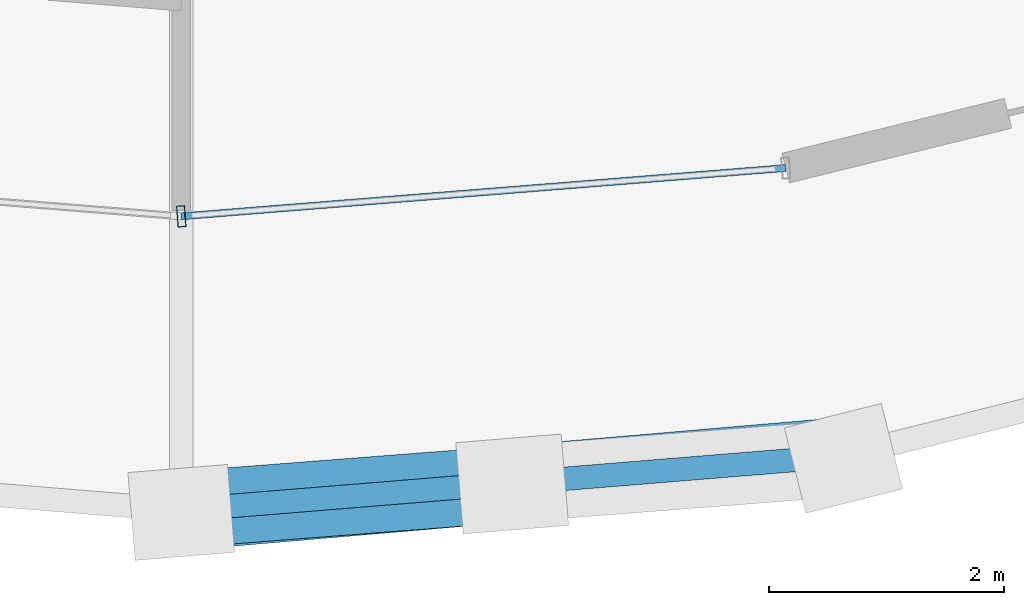
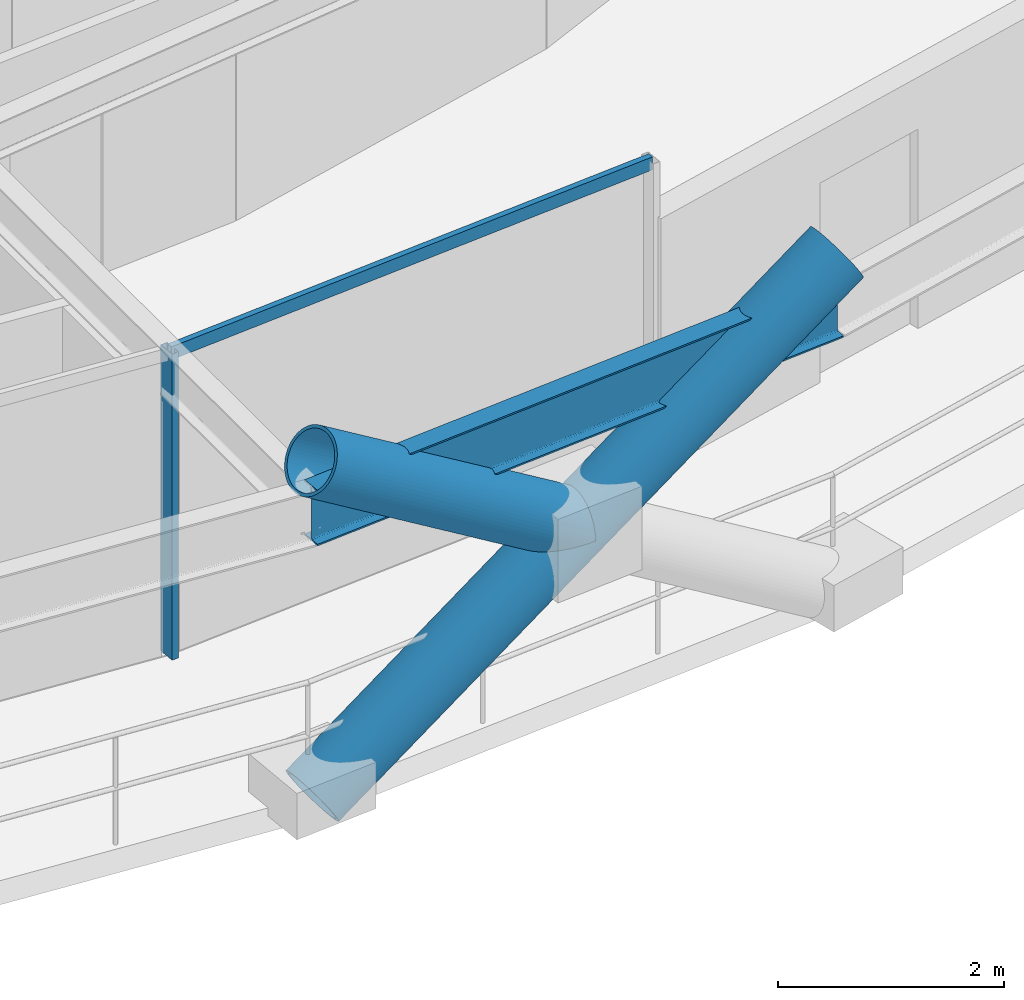
# One storey, part 4 of 23: 4 members, 1 beam, 1 element without a shape of its own.
"""IFC4 building model written with IfcOpenShell, lengths in metres."""

import ifcopenshell
import ifcopenshell.guid

model = None  # the IFC model being written
_history = None  # IfcOwnerHistory: only IFC2X3 demands one
_inside = {}  # id of a spatial element -> (the spatial element, [elements in it])
_under = {}  # id of a project, library or spatial element -> (it, [spatial elements below it])
_declared = {}  # id of a project -> (the project, [libraries it declares])
_typed = {}  # id of a type object -> (the type object, [elements of that type])
_made_of = {}  # id of a material, layer set ... -> (it, [elements and type objects made of it])


def new_model(schema):
    """Start an empty IFC model of exactly this schema.

    Asked for "IFC4X3", IfcOpenShell would pick the latest addendum, in which some entities
    have other attributes; the version numbers below select the first issue.
    IFC2X3 requires an IfcOwnerHistory on every rooted entity: one is made here for all.
    """
    global model, _history
    if schema == "IFC4X3":
        model = ifcopenshell.file(schema_version=(4, 3, 0, 0))
    else:
        model = ifcopenshell.file(schema=schema)
    _inside.clear()
    _under.clear()
    _declared.clear()
    _typed.clear()
    _made_of.clear()
    _history = None
    if model.schema == "IFC2X3":
        org = make("IfcOrganization", Name="unknown")
        user = make(
            "IfcPersonAndOrganization",
            ThePerson=make("IfcPerson", FamilyName="unknown"),
            TheOrganization=org,
        )
        app = make(
            "IfcApplication",
            ApplicationDeveloper=org,
            Version="unknown",
            ApplicationFullName="unknown",
            ApplicationIdentifier="unknown",
        )
        _history = make(
            "IfcOwnerHistory",
            OwningUser=user,
            OwningApplication=app,
            ChangeAction="ADDED",
            CreationDate=0,
        )
    return model


def make(cls, **values):
    """One entity of the class cls with the attributes given. An attribute that is None is left unset."""
    return model.create_entity(
        cls, **{name: value for name, value in values.items() if value is not None}
    )


def rooted(cls, **values):
    """An entity with a GlobalId (a new one), such as an element, a storey or a relation."""
    return make(cls, GlobalId=ifcopenshell.guid.new(), OwnerHistory=_history, **values)


def si_unit(unit_type, name, prefix=None):
    """IfcSIUnit, for example si_unit("LENGTHUNIT", "METRE", prefix="MILLI")."""
    return make("IfcSIUnit", UnitType=unit_type, Prefix=prefix, Name=name)


def assignment(units):
    """IfcUnitAssignment: the units of a project."""
    return None if units is None else make("IfcUnitAssignment", Units=units)


def point(xyz):
    """IfcCartesianPoint."""
    return None if xyz is None else make("IfcCartesianPoint", Coordinates=xyz)


def direction(xyz):
    """IfcDirection."""
    return None if xyz is None else make("IfcDirection", DirectionRatios=xyz)


def frame(location, z_axis=None, x_axis=None):
    """IfcAxis2Placement3D, a coordinate frame: its origin and axes. An axis left out is left unset."""
    return make(
        "IfcAxis2Placement3D",
        Location=point(location),
        Axis=direction(z_axis),
        RefDirection=direction(x_axis),
    )


def frame_2d(location, x_axis=None):
    """IfcAxis2Placement2D, a coordinate frame in the plane: its origin and x axis."""
    return make(
        "IfcAxis2Placement2D", Location=point(location), RefDirection=direction(x_axis)
    )


def origin():
    """The frame at (0, 0, 0) with its axes left unset."""
    return frame((0.0, 0.0, 0.0))


def origin_2d():
    """The frame at (0, 0) in the plane with its x axis left unset."""
    return frame_2d((0.0, 0.0))


def place(relative_to, where):
    """IfcLocalPlacement: puts the frame where relative to a parent placement (None: the world)."""
    return make(
        "IfcLocalPlacement", PlacementRelTo=relative_to, RelativePlacement=where
    )


def context(
    kind, dimensions, precision=None, world=None, true_north=None, identifier=None
):
    """IfcGeometricRepresentationContext, for example the 3D "Model" context."""
    return make(
        "IfcGeometricRepresentationContext",
        ContextIdentifier=identifier,
        ContextType=kind,
        CoordinateSpaceDimension=dimensions,
        Precision=precision,
        WorldCoordinateSystem=world,
        TrueNorth=true_north,
    )


def subcontext(parent, identifier, kind, view, scale=None):
    """IfcGeometricRepresentationSubContext, for example "Body" below "Model"."""
    return make(
        "IfcGeometricRepresentationSubContext",
        ContextIdentifier=identifier,
        ContextType=kind,
        ParentContext=parent,
        TargetScale=scale,
        TargetView=view,
    )


def project(units=None, contexts=None):
    """IfcProject with its units and contexts."""
    return rooted(
        "IfcProject",
        Name="project",
        RepresentationContexts=contexts,
        UnitsInContext=assignment(units),
    )


def spatial(cls, under=None, at=None, **own):
    """A site, building, storey or space (cls), placed at a placement, below another one or the project."""
    s = rooted(cls, ObjectPlacement=at, **own)
    if under is not None:
        _under.setdefault(under.id(), (under, []))[1].append(s)
    return s


def profile(cls, at=None, kind="AREA", **sizes):
    """A parametric profile (cls). Its sizes go by their IFC names, for example OverallWidth=200.0."""
    return make(cls, ProfileType=kind, Position=at, **sizes)


def hollow_rectangle(**sizes):
    """IfcRectangleHollowProfileDef."""
    return profile("IfcRectangleHollowProfileDef", **sizes)


def hollow_circle(**sizes):
    """IfcCircleHollowProfileDef."""
    return profile("IfcCircleHollowProfileDef", **sizes)


def i_section(**sizes):
    """IfcIShapeProfileDef."""
    return profile("IfcIShapeProfileDef", **sizes)


def extrude(swept, where, along, depth):
    """IfcExtrudedAreaSolid: the profile swept, set in the frame where, extruded along a direction by depth."""
    return make(
        "IfcExtrudedAreaSolid",
        SweptArea=swept,
        Position=where,
        ExtrudedDirection=direction(along),
        Depth=depth,
    )


def shape(context_of_items, identifier, shape_type, items):
    """IfcShapeRepresentation: the items that make up one representation, for example the "Body"."""
    return make(
        "IfcShapeRepresentation",
        ContextOfItems=context_of_items,
        RepresentationIdentifier=identifier,
        RepresentationType=shape_type,
        Items=items,
    )


def material(Name=None, Category=None):
    """IfcMaterial."""
    return make("IfcMaterial", Name=Name, Category=Category)


def layer(
    of_material, thickness, ventilated=None, Name=None, Category=None, Priority=None
):
    """IfcMaterialLayer: one layer of a wall or slab, of a material (None: an air gap)."""
    return make(
        "IfcMaterialLayer",
        Material=of_material,
        LayerThickness=thickness,
        IsVentilated=ventilated,
        Name=Name,
        Category=Category,
        Priority=Priority,
    )


def layer_set(layers, Name=None):
    """IfcMaterialLayerSet."""
    return make("IfcMaterialLayerSet", MaterialLayers=layers, LayerSetName=Name)


def material_profile(
    of_material, cross_section, Name=None, Category=None, Priority=None
):
    """IfcMaterialProfile: a cross section and its material."""
    return make(
        "IfcMaterialProfile",
        Name=Name,
        Material=of_material,
        Profile=cross_section,
        Priority=Priority,
        Category=Category,
    )


def profile_set(profiles, Name=None, composite=None):
    """IfcMaterialProfileSet."""
    return make(
        "IfcMaterialProfileSet",
        Name=Name,
        MaterialProfiles=profiles,
        CompositeProfile=composite,
    )


def made_of(thing, what):
    """Note that an element or type object is made of a material, layer set ...; save() writes the relation."""
    if what is not None:
        _made_of.setdefault(what.id(), (what, []))[1].append(thing)
    return thing


def type_object(cls, material=None, **own):
    """A type object (cls), such as IfcWallType, which elements share."""
    return made_of(rooted(cls, **own), material)


def element(
    cls,
    number,
    at=None,
    inside=None,
    cuts=None,
    type_object=None,
    material=None,
    context=None,
    identifier="Body",
    shape_type=None,
    held_by="IfcProductDefinitionShape",
    body=None,
    shapes=None,
    **own,
):
    """One element of the class cls, such as IfcWall. Its Tag is "e" and its number.

    at: its placement. inside: the storey or other place that contains it. cuts: it is an
    opening in that element (IfcRelVoidsElement). A single representation is given by context,
    identifier, shape_type and body (its items); several are given by shapes. held_by: the class
    of the entity that holds the representations. save() writes the other relations.
    """
    e = rooted(cls, Tag="e%d" % number, ObjectPlacement=at, **own)
    if body is not None:
        shapes = [shape(context, identifier, shape_type, body)]
    if shapes is not None:
        e.Representation = make(held_by, Representations=shapes)
    if inside is not None:
        _inside.setdefault(inside.id(), (inside, []))[1].append(e)
    if cuts is not None:
        rooted(
            "IfcRelVoidsElement", RelatingBuildingElement=cuts, RelatedOpeningElement=e
        )
    if type_object is not None:
        _typed.setdefault(type_object.id(), (type_object, []))[1].append(e)
    return made_of(e, material)


def aggregate(whole, parts):
    """IfcRelAggregates: a whole, such as a stair, and the parts it consists of."""
    return rooted("IfcRelAggregates", RelatingObject=whole, RelatedObjects=parts)


def save(model, path):
    """Write the relations noted so far, then the file.

    IfcRelAggregates (storeys below a building ...), IfcRelContainedInSpatialStructure (elements
    in a storey), IfcRelDefinesByType, IfcRelAssociatesMaterial and IfcRelDeclares: one each for
    every whole, place, type object, material and project.
    """
    for whole, parts in _under.values():
        aggregate(whole, parts)
    for where, things in _inside.values():
        rooted(
            "IfcRelContainedInSpatialStructure",
            RelatedElements=things,
            RelatingStructure=where,
        )
    for kind, things in _typed.values():
        rooted("IfcRelDefinesByType", RelatedObjects=things, RelatingType=kind)
    for what, things in _made_of.values():
        rooted("IfcRelAssociatesMaterial", RelatedObjects=things, RelatingMaterial=what)
    for by, libraries in _declared.values():
        rooted("IfcRelDeclares", RelatingContext=by, RelatedDefinitions=libraries)
    model.write(path)


model = new_model("IFC4")

# Units and contexts
model_context = context("Model", 3, precision=1e-05, world=origin(), true_north=direction((0.0, 1.0)))
body_context = subcontext(model_context, "Body", "Model", "MODEL_VIEW")
ifc_project = project(units=[si_unit("LENGTHUNIT", "METRE"), si_unit("AREAUNIT", "SQUARE_METRE"), si_unit("VOLUMEUNIT", "CUBIC_METRE"), si_unit("PLANEANGLEUNIT", "RADIAN"), si_unit("MASSUNIT", "GRAM", prefix="KILO")], contexts=[model_context])

# Site, building, storey
site_placement = place(None, origin())
site = spatial("IfcSite", under=ifc_project, at=site_placement, CompositionType="ELEMENT")
building_placement = place(site_placement, origin())
building = spatial("IfcBuilding", under=site, at=building_placement, Name="Veldorina Hangang Commons", CompositionType="ELEMENT")
storey_placement = place(building_placement, frame((0.0, 0.0, 95.199951171875)))
storey = spatial("IfcBuildingStorey", under=building, at=storey_placement, Name="L24", CompositionType="ELEMENT", Elevation=95.199951171875)

# Beam
ifc_material_1 = material(Name="Steel SM420-TMC", Category="steel")
ifc_material_profile_1 = material_profile(ifc_material_1, i_section(OverallWidth=0.199951171875, OverallDepth=0.60009765625, WebThickness=0.010986328125, FlangeThickness=0.01708984375, FilletRadius=0.01806640625, at=origin_2d()), Name="H-600x200x11x17")
ifc_profile_set_1 = profile_set([ifc_material_profile_1], Name="Steel SM420-TMC")
beam_type = type_object("IfcBeamType", Name="BM-RB600", PredefinedType="BEAM", material=ifc_profile_set_1)
beam_placement = place(storey_placement, frame((32.0, 0.097900390625, 3.0400390625), z_axis=(0.996690263747, 0.081292792737, 0.0), x_axis=(-0.081292792737, 0.996690263747, 0.0)))
element("IfcBeam", 1, at=beam_placement, inside=storey, type_object=beam_type, Name="L24 perimeter hoop ring beam 24", PredefinedType="BEAM", context=body_context, shape_type="SweptSolid", body=[
    extrude(i_section(OverallWidth=0.199951171875, OverallDepth=0.60009765625, WebThickness=0.010986328125, FlangeThickness=0.01708984375, FilletRadius=0.01806640625, at=origin_2d()), origin(), (0.0, 0.0, 1.0), 5.649169921875),
])

# Curtain wall, members
ifc_material_2 = material(Name="Glass Low-E Triple IGU", Category="glass")
ifc_layer = layer(ifc_material_2, 0.179931640625)
ifc_layer_set = layer_set([ifc_layer], Name="Glass Low-E Triple IGU")
curtain_wall_type = type_object("IfcCurtainWallType", Name="CW-SYS-Z1", PredefinedType="NOTDEFINED", material=ifc_layer_set)
curtain_wall_placement = place(storey_placement, origin())
curtain_wall = element("IfcCurtainWall", 2, at=curtain_wall_placement, inside=storey, type_object=curtain_wall_type, Name="L24 unitised curtain wall CW-L24-R1", PredefinedType="NOTDEFINED")
ifc_material_3 = material(Name="Aluminium Anodized AA6063-T6", Category="aluminium")
ifc_material_profile_2 = material_profile(ifc_material_3, hollow_rectangle(XDim=0.070068359375, YDim=0.179931640625, WallThickness=0.00390625, at=origin_2d()), Name="ALU-RHS-180x70x4")
ifc_profile_set_2 = profile_set([ifc_material_profile_2], Name="Aluminium Anodized AA6063-T6")
member_type_1 = type_object("IfcMemberType", Name="CW-MUL-180", PredefinedType="MULLION", material=ifc_profile_set_2)
member_1_placement = place(storey_placement, frame((32.0, 2.59765625, 0.0), z_axis=(0.0, 0.0, 1.0), x_axis=(0.996820733877, 0.079677001159, 0.0)))
member_1 = element("IfcMember", 3, at=member_1_placement, type_object=member_type_1, Name="CW-L24-R1 vertical mullion 4", PredefinedType="MULLION", context=body_context, shape_type="SweptSolid", body=[
    extrude(hollow_rectangle(XDim=0.070068359375, YDim=0.179931640625, WallThickness=0.00390625, at=origin_2d()), origin(), (0.0, 0.0, 1.0), 3.300048828125),
])
ifc_material_profile_3 = material_profile(ifc_material_3, hollow_rectangle(XDim=0.06005859375, YDim=0.139892578125, WallThickness=0.00341796875, at=origin_2d()), Name="ALU-RHS-140x60x3.5")
ifc_profile_set_3 = profile_set([ifc_material_profile_3], Name="Aluminium Anodized AA6063-T6")
member_type_2 = type_object("IfcMemberType", Name="CW-TRN-140", PredefinedType="USERDEFINED", material=ifc_profile_set_3)
member_2_placement = place(storey_placement, frame((32.0, 2.59765625, 3.260009765625), z_axis=(0.996821593136, 0.079666250431, 0.0), x_axis=(-0.079666250431, 0.996821593136, 0.0)))
member_2 = element("IfcMember", 4, at=member_2_placement, type_object=member_type_2, Name="CW-L24-R1 facet 4 transom 1", ObjectType="TRANSOM", PredefinedType="USERDEFINED", context=body_context, shape_type="SweptSolid", body=[
    extrude(hollow_rectangle(XDim=0.06005859375, YDim=0.139892578125, WallThickness=0.00341796875, at=origin_2d()), origin(), (0.0, 0.0, 1.0), 5.16064453125),
])
aggregate(curtain_wall, [member_1, member_2])

# Members
ifc_material_4 = material(Name="Steel SM460-TMC", Category="steel")
ifc_material_profile_4 = material_profile(ifc_material_4, hollow_circle(Radius=0.324951171875, WallThickness=0.031982421875, at=origin_2d()), Name="CHS-650x32")
ifc_profile_set_4 = profile_set([ifc_material_profile_4], Name="Steel SM460-TMC")
member_type_3 = type_object("IfcMemberType", Name="DG-CHS650", PredefinedType="BRACE", material=ifc_profile_set_4)
member_3_placement = place(storey_placement, frame((32.0, 0.07763671875, 0.0), z_axis=(0.840262199057, 0.072117221439, 0.537362580766), x_axis=(-0.085512667533, 0.996337083367, 0.0)))
element("IfcMember", 5, at=member_3_placement, inside=storey, type_object=member_type_3, Name="L24 continuous perimeter diagrid brace 24", PredefinedType="BRACE", context=body_context, shape_type="SweptSolid", body=[
    extrude(hollow_circle(Radius=0.324951171875, WallThickness=0.031982421875, at=origin_2d()), origin(), (0.0, 0.0, 1.0), 6.699462890625),
])
member_4_placement = place(storey_placement, frame((34.81640625, 0.3193359375, 1.80126953125), z_axis=(-0.840986150697, -0.065027708601, 0.537134705126), x_axis=(0.077093041038, -0.997023902935, 0.0)))
element("IfcMember", 6, at=member_4_placement, inside=storey, type_object=member_type_3, Name="L24 split perimeter diagrid upper brace 25", PredefinedType="BRACE", context=body_context, shape_type="SweptSolid", body=[
    extrude(hollow_circle(Radius=0.324951171875, WallThickness=0.031982421875, at=origin_2d()), origin(), (0.0, 0.0, 1.0), 3.348876953125),
])

save(model, "model.ifc")
